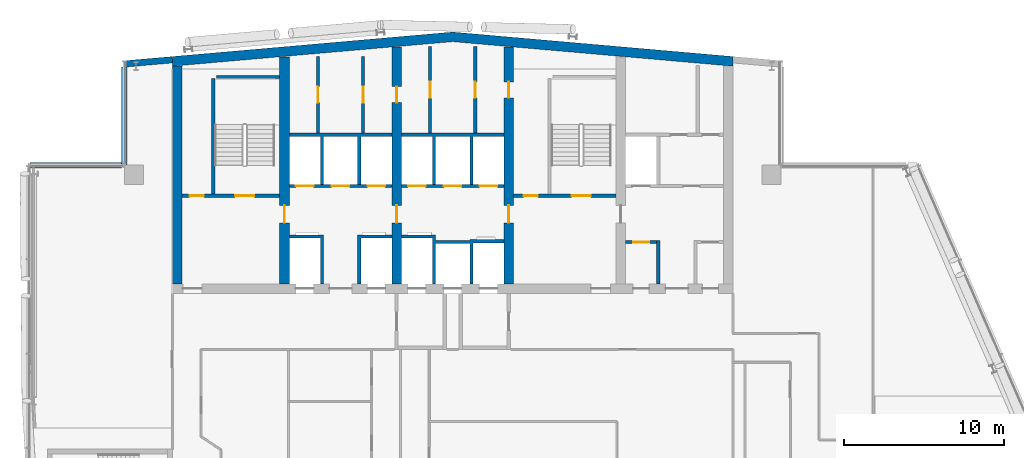
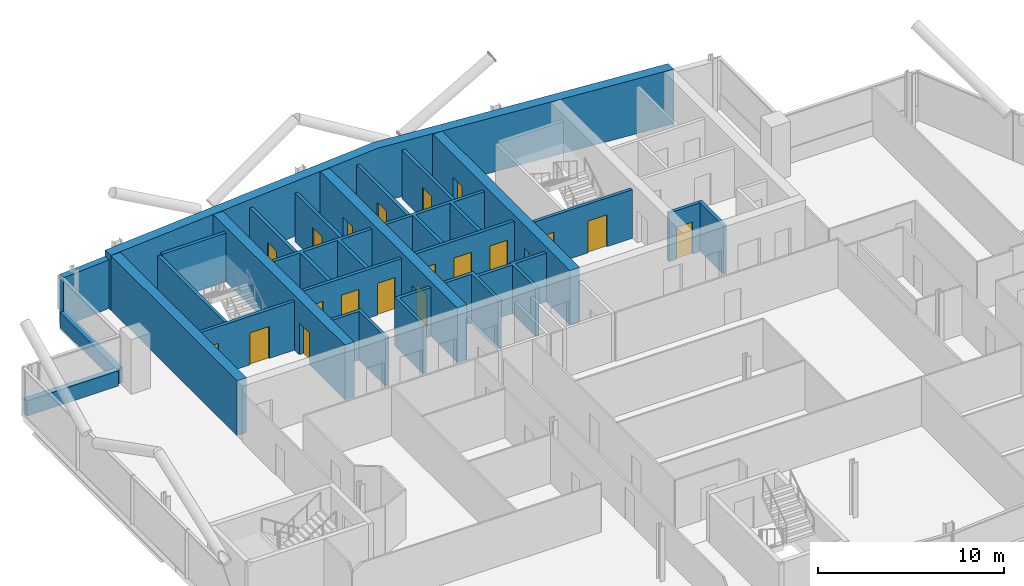
# One storey, part 18 of 27: 25 walls, 20 doors, 20 openings.
"""IFC4 building model written with IfcOpenShell, lengths in metres."""

from ifc_helpers import new_model, si_unit, direction, frame, frame_2d, origin, place, context, subcontext, project, spatial, polyline, rectangle, outline, extrude, material, layer, layer_set, type_object, element, fill, save


model = new_model("IFC4")

# Units and contexts
model_context = context("Model", 3, precision=1e-05, world=origin(), true_north=direction((0.0, 1.0)))
body_context = subcontext(model_context, "Body", "Model", "MODEL_VIEW")
ifc_project = project(units=[si_unit("LENGTHUNIT", "METRE"), si_unit("AREAUNIT", "SQUARE_METRE"), si_unit("VOLUMEUNIT", "CUBIC_METRE"), si_unit("PLANEANGLEUNIT", "RADIAN"), si_unit("MASSUNIT", "GRAM", prefix="KILO")], contexts=[model_context])

# Site, building, storey
site_placement = place(None, origin())
site = spatial("IfcSite", under=ifc_project, at=site_placement, CompositionType="ELEMENT")
building_placement = place(site_placement, origin())
building = spatial("IfcBuilding", under=site, at=building_placement, Name="Wharfspan Tower", CompositionType="ELEMENT")
storey_placement = place(building_placement, frame((0.0, 0.0, 228.699951)))
storey = spatial("IfcBuildingStorey", under=building, at=storey_placement, Name="L57", CompositionType="ELEMENT", Elevation=228.699951)

# Wall, opening, door
ifc_material_1 = material(Name="Calcium silicate masonry", Category="masonry")
ifc_layer_1 = layer(ifc_material_1, 0.199951)
ifc_layer_set_1 = layer_set([ifc_layer_1], Name="Calcium silicate masonry")
wall_type_1 = type_object("IfcWallType", Name="Core room wall 200", PredefinedType="PARTITIONING", material=ifc_layer_set_1)
wall_1_placement = place(storey_placement, frame((32.092041, 44.0, 0.0), z_axis=(0.0, 0.0, 1.0), x_axis=(0.0, 1.0, 0.0)))
wall_1 = element("IfcWall", 1, at=wall_1_placement, inside=storey, type_object=wall_type_1, Name="sw:L57:RP3.1", PredefinedType="PARTITIONING", context=body_context, shape_type="SweptSolid", body=[
    extrude(rectangle(XDim=4.803711, YDim=0.199951, at=frame_2d((2.401855, 0.0))), origin(), (0.0, 0.0, 1.0), 3.199951),
])
opening_1_placement = place(wall_1_placement, frame((1.901855, 0.0, 0.0)))
opening_1 = element("IfcOpeningElement", 2, at=opening_1_placement, cuts=wall_1, Name="Opening CD57.3P1", PredefinedType="OPENING", context=body_context, shape_type="SweptSolid", body=[
    extrude(rectangle(XDim=1.0, YDim=2.100098, at=frame_2d((0.5, 1.050049))), frame((0.0, 0.109863, 0.0), z_axis=(0.0, -1.0, 0.0), x_axis=(1.0, 0.0, 0.0)), (0.0, 0.0, 1.0), 0.219971),
])
ifc_material_2 = material(Name="Steel door leaf", Category="steel")
door_type_1 = type_object("IfcDoorType", Name="Core room door 1000x2100", OperationType="SINGLE_SWING_LEFT", PredefinedType="DOOR", material=ifc_material_2)
door_1_placement = place(opening_1_placement, origin())
door_1 = element("IfcDoor", 3, at=door_1_placement, inside=storey, type_object=door_type_1, Name="d:L57:3:rp1", OperationType="SINGLE_SWING_LEFT", OverallHeight=2.100098, OverallWidth=1.0, PredefinedType="DOOR", context=body_context, shape_type="SweptSolid", body=[
    extrude(rectangle(XDim=1.0, YDim=2.100098, at=frame_2d((0.5, 1.050049))), frame((0.0, 0.024902, 0.0), z_axis=(0.0, -1.0, 0.0), x_axis=(1.0, 0.0, 0.0)), (0.0, 0.0, 1.0), 0.050049),
])
fill(opening_1, door_1)

wall_2_placement = place(storey_placement, frame((34.907959, 44.0, 0.0), z_axis=(0.0, 0.0, 1.0), x_axis=(0.0, 1.0, 0.0)))
wall_2 = element("IfcWall", 4, at=wall_2_placement, inside=storey, type_object=wall_type_1, Name="sw:L57:RP3.2", PredefinedType="PARTITIONING", context=body_context, shape_type="SweptSolid", body=[
    extrude(rectangle(XDim=4.803711, YDim=0.199951, at=frame_2d((2.401855, 0.0))), origin(), (0.0, 0.0, 1.0), 3.199951),
])
opening_2_placement = place(wall_2_placement, frame((1.901855, 0.0, 0.0)))
opening_2 = element("IfcOpeningElement", 5, at=opening_2_placement, cuts=wall_2, Name="Opening CD57.3P2", PredefinedType="OPENING", context=body_context, shape_type="SweptSolid", body=[
    extrude(rectangle(XDim=1.0, YDim=2.100098, at=frame_2d((0.5, 1.050049))), frame((0.0, 0.109863, 0.0), z_axis=(0.0, -1.0, 0.0), x_axis=(1.0, 0.0, 0.0)), (0.0, 0.0, 1.0), 0.219971),
])
door_2_placement = place(opening_2_placement, origin())
door_2 = element("IfcDoor", 6, at=door_2_placement, inside=storey, type_object=door_type_1, Name="d:L57:3:rp2", OperationType="SINGLE_SWING_LEFT", OverallHeight=2.100098, OverallWidth=1.0, PredefinedType="DOOR", context=body_context, shape_type="SweptSolid", body=[
    extrude(rectangle(XDim=1.0, YDim=2.100098, at=frame_2d((0.5, 1.050049))), frame((0.0, 0.024902, 0.0), z_axis=(0.0, -1.0, 0.0), x_axis=(1.0, 0.0, 0.0)), (0.0, 0.0, 1.0), 0.050049),
])
fill(opening_2, door_2)

wall_3_placement = place(storey_placement, frame((39.092041, 44.0, 0.0), z_axis=(0.0, 0.0, 1.0), x_axis=(0.0, 1.0, 0.0)))
wall_3 = element("IfcWall", 7, at=wall_3_placement, inside=storey, type_object=wall_type_1, Name="sw:L57:RP4.1", PredefinedType="PARTITIONING", context=body_context, shape_type="SweptSolid", body=[
    extrude(rectangle(XDim=5.41626, YDim=0.199951, at=frame_2d((2.708008, 0.0))), origin(), (0.0, 0.0, 1.0), 3.199951),
])
opening_3_placement = place(wall_3_placement, frame((2.208008, 0.0, 0.0)))
opening_3 = element("IfcOpeningElement", 8, at=opening_3_placement, cuts=wall_3, Name="Opening CD57.4P1", PredefinedType="OPENING", context=body_context, shape_type="SweptSolid", body=[
    extrude(rectangle(XDim=1.0, YDim=2.100098, at=frame_2d((0.5, 1.050049))), frame((0.0, 0.109863, 0.0), z_axis=(0.0, -1.0, 0.0), x_axis=(1.0, 0.0, 0.0)), (0.0, 0.0, 1.0), 0.219971),
])
door_3_placement = place(opening_3_placement, origin())
door_3 = element("IfcDoor", 9, at=door_3_placement, inside=storey, type_object=door_type_1, Name="d:L57:4:rp1", OperationType="SINGLE_SWING_LEFT", OverallHeight=2.100098, OverallWidth=1.0, PredefinedType="DOOR", context=body_context, shape_type="SweptSolid", body=[
    extrude(rectangle(XDim=1.0, YDim=2.100098, at=frame_2d((0.5, 1.050049))), frame((0.0, 0.024902, 0.0), z_axis=(0.0, -1.0, 0.0), x_axis=(1.0, 0.0, 0.0)), (0.0, 0.0, 1.0), 0.050049),
])
fill(opening_3, door_3)

wall_4_placement = place(storey_placement, frame((41.907959, 44.0, 0.0), z_axis=(0.0, 0.0, 1.0), x_axis=(0.0, 1.0, 0.0)))
wall_4 = element("IfcWall", 10, at=wall_4_placement, inside=storey, type_object=wall_type_1, Name="sw:L57:RP4.2", PredefinedType="PARTITIONING", context=body_context, shape_type="SweptSolid", body=[
    extrude(rectangle(XDim=5.41626, YDim=0.199951, at=frame_2d((2.708008, 0.0))), origin(), (0.0, 0.0, 1.0), 3.199951),
])
opening_4_placement = place(wall_4_placement, frame((2.208008, 0.0, 0.0)))
opening_4 = element("IfcOpeningElement", 11, at=opening_4_placement, cuts=wall_4, Name="Opening CD57.4P2", PredefinedType="OPENING", context=body_context, shape_type="SweptSolid", body=[
    extrude(rectangle(XDim=1.0, YDim=2.100098, at=frame_2d((0.5, 1.050049))), frame((0.0, 0.109863, 0.0), z_axis=(0.0, -1.0, 0.0), x_axis=(1.0, 0.0, 0.0)), (0.0, 0.0, 1.0), 0.219971),
])
door_4_placement = place(opening_4_placement, origin())
door_4 = element("IfcDoor", 12, at=door_4_placement, inside=storey, type_object=door_type_1, Name="d:L57:4:rp2", OperationType="SINGLE_SWING_LEFT", OverallHeight=2.100098, OverallWidth=1.0, PredefinedType="DOOR", context=body_context, shape_type="SweptSolid", body=[
    extrude(rectangle(XDim=1.0, YDim=2.100098, at=frame_2d((0.5, 1.050049))), frame((0.0, 0.024902, 0.0), z_axis=(0.0, -1.0, 0.0), x_axis=(1.0, 0.0, 0.0)), (0.0, 0.0, 1.0), 0.050049),
])
fill(opening_4, door_4)

wall_5_placement = place(storey_placement, frame((51.300049, 37.199951, 0.0), z_axis=(0.0, 0.0, 1.0), x_axis=(1.0, 0.0, 0.0)))
wall_5 = element("IfcWall", 13, at=wall_5_placement, inside=storey, type_object=wall_type_1, Name="sw:L57:FR6.1", PredefinedType="PARTITIONING", context=body_context, shape_type="SweptSolid", body=[
    extrude(rectangle(XDim=1.93335, YDim=0.199951, at=frame_2d((0.966797, 0.0))), origin(), (0.0, 0.0, 1.0), 3.199951),
])
opening_5_placement = place(wall_5_placement, frame((0.466797, 0.0, 0.0)))
opening_5 = element("IfcOpeningElement", 14, at=opening_5_placement, cuts=wall_5, Name="Opening CD57.6H1", PredefinedType="OPENING", context=body_context, shape_type="SweptSolid", body=[
    extrude(rectangle(XDim=1.0, YDim=2.100098, at=frame_2d((0.5, 1.050049))), frame((0.0, 0.109863, 0.0), z_axis=(0.0, -1.0, 0.0), x_axis=(1.0, 0.0, 0.0)), (0.0, 0.0, 1.0), 0.219971),
])
door_5_placement = place(opening_5_placement, origin())
door_5 = element("IfcDoor", 15, at=door_5_placement, inside=storey, type_object=door_type_1, Name="d:L57:6:fh6.1", OperationType="SINGLE_SWING_RIGHT", OverallHeight=2.100098, OverallWidth=1.0, PredefinedType="DOOR", context=body_context, shape_type="SweptSolid", body=[
    extrude(rectangle(XDim=1.0, YDim=2.100098, at=frame_2d((0.5, 1.050049))), frame((0.0, 0.024902, 0.0), z_axis=(0.0, -1.0, 0.0), x_axis=(1.0, 0.0, 0.0)), (0.0, 0.0, 1.0), 0.050049),
])
fill(opening_5, door_5)

# Walls
ifc_material_3 = material(Name="Concrete C50/60", Category="concrete")
ifc_layer_2 = layer(ifc_material_3, 0.600098)
ifc_layer_set_2 = layer_set([ifc_layer_2], Name="Concrete C50/60")
wall_type_2 = type_object("IfcWallType", Name="Core wall 600 C50/60", PredefinedType="SHEAR", material=ifc_layer_set_2)
wall_6_placement = place(storey_placement, origin())
element("IfcWall", 16, at=wall_6_placement, inside=storey, type_object=wall_type_2, Name="Core rear wall L57", PredefinedType="SHEAR", context=body_context, shape_type="SweptSolid", body=[
    extrude(outline(polyline([(23.0, 48.185059), (40.5, 49.716064), (58.0, 48.185059), (58.0, 48.787354), (40.5, 50.318359), (23.0, 48.787354), (23.0, 48.185059)])), origin(), (0.0, 0.0, 1.0), 3.600098),
])
wall_7_placement = place(storey_placement, frame((23.300049, 34.600098, 0.0), z_axis=(0.0, 0.0, 1.0), x_axis=(0.0, 1.0, 0.0)))
element("IfcWall", 17, at=wall_7_placement, inside=storey, type_object=wall_type_2, Name="Core cross wall EW0 L57", PredefinedType="SHEAR", context=body_context, shape_type="SweptSolid", body=[
    extrude(rectangle(XDim=13.584961, YDim=0.600098, at=frame_2d((6.79248, 0.0))), origin(), (0.0, 0.0, 1.0), 3.600098),
])

# Wall, opening, door
wall_8_placement = place(storey_placement, frame((30.0, 34.600098, 0.0), z_axis=(0.0, 0.0, 1.0), x_axis=(0.0, 1.0, 0.0)))
wall_8 = element("IfcWall", 18, at=wall_8_placement, inside=storey, type_object=wall_type_2, Name="Core cross wall X3 L57", PredefinedType="SHEAR", context=body_context, shape_type="SweptSolid", body=[
    extrude(rectangle(XDim=14.171143, YDim=0.600098, at=frame_2d((7.085449, 0.0))), origin(), (0.0, 0.0, 1.0), 3.600098),
])
opening_6_placement = place(wall_8_placement, frame((3.800049, 0.0, 0.0)))
opening_6 = element("IfcOpeningElement", 19, at=opening_6_placement, cuts=wall_8, Name="Opening CC57.3", PredefinedType="OPENING", context=body_context, shape_type="SweptSolid", body=[
    extrude(rectangle(XDim=1.100098, YDim=2.100098, at=frame_2d((0.550049, 1.050049))), frame((0.0, 0.310059, 0.0), z_axis=(0.0, -1.0, 0.0), x_axis=(1.0, 0.0, 0.0)), (0.0, 0.0, 1.0), 0.620117),
])
door_type_2 = type_object("IfcDoorType", Name="Core corridor door 1100x2100", OperationType="SINGLE_SWING_LEFT", PredefinedType="DOOR", material=ifc_material_2)
door_6_placement = place(opening_6_placement, origin())
door_6 = element("IfcDoor", 20, at=door_6_placement, inside=storey, type_object=door_type_2, Name="xd:L57:3", OperationType="SINGLE_SWING_LEFT", OverallHeight=2.100098, OverallWidth=1.100098, PredefinedType="DOOR", context=body_context, shape_type="SweptSolid", body=[
    extrude(rectangle(XDim=1.100098, YDim=2.100098, at=frame_2d((0.550049, 1.050049))), frame((0.0, 0.024902, 0.0), z_axis=(0.0, -1.0, 0.0), x_axis=(1.0, 0.0, 0.0)), (0.0, 0.0, 1.0), 0.050049),
])
fill(opening_6, door_6)

# Wall, openings, doors
wall_9_placement = place(storey_placement, frame((37.0, 34.600098, 0.0), z_axis=(0.0, 0.0, 1.0), x_axis=(0.0, 1.0, 0.0)))
wall_9 = element("IfcWall", 21, at=wall_9_placement, inside=storey, type_object=wall_type_2, Name="Core cross wall X4 L57", PredefinedType="SHEAR", context=body_context, shape_type="SweptSolid", body=[
    extrude(rectangle(XDim=14.783691, YDim=0.600098, at=frame_2d((7.391846, 0.0))), origin(), (0.0, 0.0, 1.0), 3.600098),
])
opening_7_placement = place(wall_9_placement, frame((11.302002, 0.0, 0.0)))
opening_7 = element("IfcOpeningElement", 22, at=opening_7_placement, cuts=wall_9, Name="Opening CD57.3X", PredefinedType="OPENING", context=body_context, shape_type="SweptSolid", body=[
    extrude(rectangle(XDim=1.0, YDim=2.100098, at=frame_2d((0.5, 1.050049))), frame((0.0, 0.310059, 0.0), z_axis=(0.0, -1.0, 0.0), x_axis=(1.0, 0.0, 0.0)), (0.0, 0.0, 1.0), 0.620117),
])
opening_8_placement = place(wall_9_placement, frame((3.800049, 0.0, 0.0)))
opening_8 = element("IfcOpeningElement", 23, at=opening_8_placement, cuts=wall_9, Name="Opening CC57.4", PredefinedType="OPENING", context=body_context, shape_type="SweptSolid", body=[
    extrude(rectangle(XDim=1.100098, YDim=2.100098, at=frame_2d((0.550049, 1.050049))), frame((0.0, 0.310059, 0.0), z_axis=(0.0, -1.0, 0.0), x_axis=(1.0, 0.0, 0.0)), (0.0, 0.0, 1.0), 0.620117),
])
door_7_placement = place(opening_8_placement, origin())
door_7 = element("IfcDoor", 24, at=door_7_placement, inside=storey, type_object=door_type_2, Name="xd:L57:4", OperationType="SINGLE_SWING_RIGHT", OverallHeight=2.100098, OverallWidth=1.100098, PredefinedType="DOOR", context=body_context, shape_type="SweptSolid", body=[
    extrude(rectangle(XDim=1.100098, YDim=2.100098, at=frame_2d((0.550049, 1.050049))), frame((0.0, 0.024902, 0.0), z_axis=(0.0, -1.0, 0.0), x_axis=(1.0, 0.0, 0.0)), (0.0, 0.0, 1.0), 0.050049),
])
fill(opening_8, door_7)
door_8_placement = place(opening_7_placement, origin())
door_8 = element("IfcDoor", 25, at=door_8_placement, inside=storey, type_object=door_type_1, Name="d:L57:3:sx", OperationType="SINGLE_SWING_LEFT", OverallHeight=2.100098, OverallWidth=1.0, PredefinedType="DOOR", context=body_context, shape_type="SweptSolid", body=[
    extrude(rectangle(XDim=1.0, YDim=2.100098, at=frame_2d((0.5, 1.050049))), frame((0.0, 0.024902, 0.0), z_axis=(0.0, -1.0, 0.0), x_axis=(1.0, 0.0, 0.0)), (0.0, 0.0, 1.0), 0.050049),
])
fill(opening_7, door_8)

wall_10_placement = place(storey_placement, frame((44.0, 34.600098, 0.0), z_axis=(0.0, 0.0, 1.0), x_axis=(0.0, 1.0, 0.0)))
wall_10 = element("IfcWall", 26, at=wall_10_placement, inside=storey, type_object=wall_type_2, Name="Core cross wall X5 L57", PredefinedType="SHEAR", context=body_context, shape_type="SweptSolid", body=[
    extrude(rectangle(XDim=14.783691, YDim=0.600098, at=frame_2d((7.391846, 0.0))), origin(), (0.0, 0.0, 1.0), 3.600098),
])
opening_9_placement = place(wall_10_placement, frame((11.608154, 0.0, 0.0)))
opening_9 = element("IfcOpeningElement", 27, at=opening_9_placement, cuts=wall_10, Name="Opening CD57.4X", PredefinedType="OPENING", context=body_context, shape_type="SweptSolid", body=[
    extrude(rectangle(XDim=1.0, YDim=2.100098, at=frame_2d((0.5, 1.050049))), frame((0.0, 0.310059, 0.0), z_axis=(0.0, -1.0, 0.0), x_axis=(1.0, 0.0, 0.0)), (0.0, 0.0, 1.0), 0.620117),
])
opening_10_placement = place(wall_10_placement, frame((3.800049, 0.0, 0.0)))
opening_10 = element("IfcOpeningElement", 28, at=opening_10_placement, cuts=wall_10, Name="Opening CC57.5", PredefinedType="OPENING", context=body_context, shape_type="SweptSolid", body=[
    extrude(rectangle(XDim=1.100098, YDim=2.100098, at=frame_2d((0.550049, 1.050049))), frame((0.0, 0.310059, 0.0), z_axis=(0.0, -1.0, 0.0), x_axis=(1.0, 0.0, 0.0)), (0.0, 0.0, 1.0), 0.620117),
])
door_9_placement = place(opening_10_placement, origin())
door_9 = element("IfcDoor", 29, at=door_9_placement, inside=storey, type_object=door_type_2, Name="xd:L57:5", OperationType="SINGLE_SWING_LEFT", OverallHeight=2.100098, OverallWidth=1.100098, PredefinedType="DOOR", context=body_context, shape_type="SweptSolid", body=[
    extrude(rectangle(XDim=1.100098, YDim=2.100098, at=frame_2d((0.550049, 1.050049))), frame((0.0, 0.024902, 0.0), z_axis=(0.0, -1.0, 0.0), x_axis=(1.0, 0.0, 0.0)), (0.0, 0.0, 1.0), 0.050049),
])
fill(opening_10, door_9)
door_10_placement = place(opening_9_placement, origin())
door_10 = element("IfcDoor", 30, at=door_10_placement, inside=storey, type_object=door_type_1, Name="d:L57:4:sx", OperationType="SINGLE_SWING_LEFT", OverallHeight=2.100098, OverallWidth=1.0, PredefinedType="DOOR", context=body_context, shape_type="SweptSolid", body=[
    extrude(rectangle(XDim=1.0, YDim=2.100098, at=frame_2d((0.5, 1.050049))), frame((0.0, 0.024902, 0.0), z_axis=(0.0, -1.0, 0.0), x_axis=(1.0, 0.0, 0.0)), (0.0, 0.0, 1.0), 0.050049),
])
fill(opening_9, door_10)

ifc_material_4 = material(Name="Concrete C30/37", Category="concrete")
ifc_layer_3 = layer(ifc_material_4, 0.199951)
ifc_layer_set_3 = layer_set([ifc_layer_3], Name="Concrete C30/37")
wall_type_3 = type_object("IfcWallType", Name="Lift shaft wall 200", PredefinedType="PARTITIONING", material=ifc_layer_set_3)
wall_11_placement = place(storey_placement, frame((30.300049, 40.699951, 0.0), z_axis=(0.0, 0.0, 1.0), x_axis=(1.0, 0.0, 0.0)))
wall_11 = element("IfcWall", 31, at=wall_11_placement, inside=storey, type_object=wall_type_3, Name="sw:L57:RF3", PredefinedType="PARTITIONING", context=body_context, shape_type="SweptSolid", body=[
    extrude(rectangle(XDim=6.399902, YDim=0.199951, at=frame_2d((3.199951, 0.0))), origin(), (0.0, 0.0, 1.0), 3.199951),
])
opening_11_placement = place(wall_11_placement, frame((0.416748, 0.0, 0.0)))
opening_11 = element("IfcOpeningElement", 32, at=opening_11_placement, cuts=wall_11, Name="Opening LD.LB1.L57", PredefinedType="OPENING", context=body_context, shape_type="SweptSolid", body=[
    extrude(rectangle(XDim=1.100098, YDim=2.100098, at=frame_2d((0.550049, 1.050049))), frame((0.0, 0.109863, 0.0), z_axis=(0.0, -1.0, 0.0), x_axis=(1.0, 0.0, 0.0)), (0.0, 0.0, 1.0), 0.219971),
])
opening_12_placement = place(wall_11_placement, frame((2.649902, 0.0, 0.0)))
opening_12 = element("IfcOpeningElement", 33, at=opening_12_placement, cuts=wall_11, Name="Opening LD.LB2.L57", PredefinedType="OPENING", context=body_context, shape_type="SweptSolid", body=[
    extrude(rectangle(XDim=1.100098, YDim=2.100098, at=frame_2d((0.550049, 1.050049))), frame((0.0, 0.109863, 0.0), z_axis=(0.0, -1.0, 0.0), x_axis=(1.0, 0.0, 0.0)), (0.0, 0.0, 1.0), 0.219971),
])
opening_13_placement = place(wall_11_placement, frame((4.883301, 0.0, 0.0)))
opening_13 = element("IfcOpeningElement", 34, at=opening_13_placement, cuts=wall_11, Name="Opening LD.LB3.L57", PredefinedType="OPENING", context=body_context, shape_type="SweptSolid", body=[
    extrude(rectangle(XDim=1.100098, YDim=2.100098, at=frame_2d((0.550049, 1.050049))), frame((0.0, 0.109863, 0.0), z_axis=(0.0, -1.0, 0.0), x_axis=(1.0, 0.0, 0.0)), (0.0, 0.0, 1.0), 0.219971),
])
ifc_material_5 = material(Name="Stainless steel", Category="steel")
door_type_3 = type_object("IfcDoorType", Name="Lift landing door 1100x2100", OperationType="DOUBLE_DOOR_SLIDING", PredefinedType="DOOR", material=ifc_material_5)
door_11_placement = place(opening_11_placement, origin())
door_11 = element("IfcDoor", 35, at=door_11_placement, inside=storey, type_object=door_type_3, Name="Landing door LB1 L57", OperationType="DOUBLE_DOOR_SLIDING", OverallHeight=2.100098, OverallWidth=1.100098, PredefinedType="DOOR", context=body_context, shape_type="SweptSolid", body=[
    extrude(rectangle(XDim=1.100098, YDim=2.100098, at=frame_2d((0.550049, 1.050049))), frame((0.0, 0.024902, 0.0), z_axis=(0.0, -1.0, 0.0), x_axis=(1.0, 0.0, 0.0)), (0.0, 0.0, 1.0), 0.050049),
])
fill(opening_11, door_11)
door_12_placement = place(opening_12_placement, origin())
door_12 = element("IfcDoor", 36, at=door_12_placement, inside=storey, type_object=door_type_3, Name="Landing door LB2 L57", OperationType="DOUBLE_DOOR_SLIDING", OverallHeight=2.100098, OverallWidth=1.100098, PredefinedType="DOOR", context=body_context, shape_type="SweptSolid", body=[
    extrude(rectangle(XDim=1.100098, YDim=2.100098, at=frame_2d((0.550049, 1.050049))), frame((0.0, 0.024902, 0.0), z_axis=(0.0, -1.0, 0.0), x_axis=(1.0, 0.0, 0.0)), (0.0, 0.0, 1.0), 0.050049),
])
fill(opening_12, door_12)
door_13_placement = place(opening_13_placement, origin())
door_13 = element("IfcDoor", 37, at=door_13_placement, inside=storey, type_object=door_type_3, Name="Landing door LB3 L57", OperationType="DOUBLE_DOOR_SLIDING", OverallHeight=2.100098, OverallWidth=1.100098, PredefinedType="DOOR", context=body_context, shape_type="SweptSolid", body=[
    extrude(rectangle(XDim=1.100098, YDim=2.100098, at=frame_2d((0.550049, 1.050049))), frame((0.0, 0.024902, 0.0), z_axis=(0.0, -1.0, 0.0), x_axis=(1.0, 0.0, 0.0)), (0.0, 0.0, 1.0), 0.050049),
])
fill(opening_13, door_13)

# Walls
wall_12_placement = place(storey_placement, frame((0.0, 0.0, -0.000244)))
element("IfcWall", 38, at=wall_12_placement, inside=storey, type_object=wall_type_3, Name="sw:L57:FM3.0", PredefinedType="PARTITIONING", context=body_context, shape_type="SweptSolid", body=[
    extrude(outline(polyline([(32.233398, 37.449951), (30.300049, 37.449951), (30.300049, 37.649902), (32.233398, 37.649902), (32.43335, 37.649902), (32.43335, 34.600098), (32.233398, 34.600098), (32.233398, 37.449951)])), origin(), (0.0, 0.0, 1.0), 3.200195),
])
wall_13_placement = place(storey_placement, frame((0.0, 0.0, -0.000244)))
element("IfcWall", 39, at=wall_13_placement, inside=storey, type_object=wall_type_3, Name="sw:L57:FM3.1", PredefinedType="PARTITIONING", context=body_context, shape_type="SweptSolid", body=[
    extrude(outline(polyline([(34.56665, 37.649902), (34.766602, 37.649902), (36.699951, 37.649902), (36.699951, 37.449951), (34.766602, 37.449951), (34.766602, 34.600098), (34.56665, 34.600098), (34.56665, 37.649902)])), origin(), (0.0, 0.0, 1.0), 3.200195),
])
wall_14_placement = place(storey_placement, frame((0.0, 0.0, -0.000244)))
element("IfcWall", 40, at=wall_14_placement, inside=storey, type_object=wall_type_3, Name="sw:L57:RM3.0", PredefinedType="PARTITIONING", context=body_context, shape_type="SweptSolid", body=[
    extrude(outline(polyline([(32.43335, 40.800049), (32.233398, 40.800049), (32.233398, 43.800049), (30.300049, 43.800049), (30.300049, 44.0), (36.699951, 44.0), (36.699951, 43.800049), (34.766602, 43.800049), (34.766602, 40.800049), (34.56665, 40.800049), (34.56665, 43.800049), (32.43335, 43.800049), (32.43335, 40.800049)])), origin(), (0.0, 0.0, 1.0), 3.200195),
])

# Wall, openings, doors
wall_15_placement = place(storey_placement, frame((37.300049, 40.699951, 0.0), z_axis=(0.0, 0.0, 1.0), x_axis=(1.0, 0.0, 0.0)))
wall_15 = element("IfcWall", 41, at=wall_15_placement, inside=storey, type_object=wall_type_3, Name="sw:L57:RF4", PredefinedType="PARTITIONING", context=body_context, shape_type="SweptSolid", body=[
    extrude(rectangle(XDim=6.399902, YDim=0.199951, at=frame_2d((3.199951, 0.0))), origin(), (0.0, 0.0, 1.0), 3.199951),
])
opening_14_placement = place(wall_15_placement, frame((0.416748, 0.0, 0.0)))
opening_14 = element("IfcOpeningElement", 42, at=opening_14_placement, cuts=wall_15, Name="Opening LD.LB4.L57", PredefinedType="OPENING", context=body_context, shape_type="SweptSolid", body=[
    extrude(rectangle(XDim=1.100098, YDim=2.100098, at=frame_2d((0.550049, 1.050049))), frame((0.0, 0.109863, 0.0), z_axis=(0.0, -1.0, 0.0), x_axis=(1.0, 0.0, 0.0)), (0.0, 0.0, 1.0), 0.219971),
])
opening_15_placement = place(wall_15_placement, frame((2.649902, 0.0, 0.0)))
opening_15 = element("IfcOpeningElement", 43, at=opening_15_placement, cuts=wall_15, Name="Opening LD.LB5.L57", PredefinedType="OPENING", context=body_context, shape_type="SweptSolid", body=[
    extrude(rectangle(XDim=1.100098, YDim=2.100098, at=frame_2d((0.550049, 1.050049))), frame((0.0, 0.109863, 0.0), z_axis=(0.0, -1.0, 0.0), x_axis=(1.0, 0.0, 0.0)), (0.0, 0.0, 1.0), 0.219971),
])
opening_16_placement = place(wall_15_placement, frame((4.883301, 0.0, 0.0)))
opening_16 = element("IfcOpeningElement", 44, at=opening_16_placement, cuts=wall_15, Name="Opening LD.LB6.L57", PredefinedType="OPENING", context=body_context, shape_type="SweptSolid", body=[
    extrude(rectangle(XDim=1.100098, YDim=2.100098, at=frame_2d((0.550049, 1.050049))), frame((0.0, 0.109863, 0.0), z_axis=(0.0, -1.0, 0.0), x_axis=(1.0, 0.0, 0.0)), (0.0, 0.0, 1.0), 0.219971),
])
door_14_placement = place(opening_14_placement, origin())
door_14 = element("IfcDoor", 45, at=door_14_placement, inside=storey, type_object=door_type_3, Name="Landing door LB4 L57", OperationType="DOUBLE_DOOR_SLIDING", OverallHeight=2.100098, OverallWidth=1.100098, PredefinedType="DOOR", context=body_context, shape_type="SweptSolid", body=[
    extrude(rectangle(XDim=1.100098, YDim=2.100098, at=frame_2d((0.550049, 1.050049))), frame((0.0, 0.024902, 0.0), z_axis=(0.0, -1.0, 0.0), x_axis=(1.0, 0.0, 0.0)), (0.0, 0.0, 1.0), 0.050049),
])
fill(opening_14, door_14)
door_15_placement = place(opening_15_placement, origin())
door_15 = element("IfcDoor", 46, at=door_15_placement, inside=storey, type_object=door_type_3, Name="Landing door LB5 L57", OperationType="DOUBLE_DOOR_SLIDING", OverallHeight=2.100098, OverallWidth=1.100098, PredefinedType="DOOR", context=body_context, shape_type="SweptSolid", body=[
    extrude(rectangle(XDim=1.100098, YDim=2.100098, at=frame_2d((0.550049, 1.050049))), frame((0.0, 0.024902, 0.0), z_axis=(0.0, -1.0, 0.0), x_axis=(1.0, 0.0, 0.0)), (0.0, 0.0, 1.0), 0.050049),
])
fill(opening_15, door_15)
door_16_placement = place(opening_16_placement, origin())
door_16 = element("IfcDoor", 47, at=door_16_placement, inside=storey, type_object=door_type_3, Name="Landing door LB6 L57", OperationType="DOUBLE_DOOR_SLIDING", OverallHeight=2.100098, OverallWidth=1.100098, PredefinedType="DOOR", context=body_context, shape_type="SweptSolid", body=[
    extrude(rectangle(XDim=1.100098, YDim=2.100098, at=frame_2d((0.550049, 1.050049))), frame((0.0, 0.024902, 0.0), z_axis=(0.0, -1.0, 0.0), x_axis=(1.0, 0.0, 0.0)), (0.0, 0.0, 1.0), 0.050049),
])
fill(opening_16, door_16)

# Walls
wall_16_placement = place(storey_placement, frame((0.0, 0.0, -0.000244)))
element("IfcWall", 48, at=wall_16_placement, inside=storey, type_object=wall_type_3, Name="sw:L57:FM4.0", PredefinedType="PARTITIONING", context=body_context, shape_type="SweptSolid", body=[
    extrude(outline(polyline([(41.56665, 37.100098), (39.43335, 37.100098), (39.43335, 34.600098), (39.233398, 34.600098), (39.233398, 37.449951), (37.300049, 37.449951), (37.300049, 37.649902), (39.233398, 37.649902), (39.43335, 37.649902), (39.43335, 37.300049), (41.56665, 37.300049), (41.56665, 37.350098), (41.766602, 37.350098), (43.699951, 37.350098), (43.699951, 37.149902), (41.766602, 37.149902), (41.766602, 34.600098), (41.56665, 34.600098), (41.56665, 37.100098)])), origin(), (0.0, 0.0, 1.0), 3.200195),
])
wall_17_placement = place(storey_placement, frame((0.0, 0.0, -0.000244)))
element("IfcWall", 49, at=wall_17_placement, inside=storey, type_object=wall_type_3, Name="sw:L57:RM4.0", PredefinedType="PARTITIONING", context=body_context, shape_type="SweptSolid", body=[
    extrude(outline(polyline([(39.43335, 40.800049), (39.233398, 40.800049), (39.233398, 43.800049), (37.300049, 43.800049), (37.300049, 44.0), (43.699951, 44.0), (43.699951, 43.800049), (41.766602, 43.800049), (41.766602, 40.800049), (41.56665, 40.800049), (41.56665, 43.800049), (39.43335, 43.800049), (39.43335, 40.800049)])), origin(), (0.0, 0.0, 1.0), 3.200195),
])
wall_18_placement = place(storey_placement, frame((0.0, 0.0, -0.000244)))
element("IfcWall", 50, at=wall_18_placement, inside=storey, type_object=wall_type_3, Name="sw:L57:FM6.0", PredefinedType="PARTITIONING", context=body_context, shape_type="SweptSolid", body=[
    extrude(outline(polyline([(53.233398, 34.600098), (53.233398, 37.300049), (53.43335, 37.300049), (53.43335, 34.600098), (53.233398, 34.600098)])), origin(), (0.0, 0.0, 1.0), 3.200195),
])
ifc_material_6 = material(Name="Concrete C40/50", Category="concrete")
ifc_layer_4 = layer(ifc_material_6, 0.350098)
ifc_layer_set_4 = layer_set([ifc_layer_4], Name="Concrete C40/50")
wall_type_4 = type_object("IfcWallType", Name="SPANDREL EXPOSED CONCRETE 350", PredefinedType="SOLIDWALL", material=ifc_layer_set_4)
wall_19_placement = place(storey_placement, frame((19.995117, 48.126465, 0.0), z_axis=(0.0, 0.0, 1.0), x_axis=(0.0, -1.0, 0.0)))
element("IfcWall", 51, at=wall_19_placement, inside=storey, type_object=wall_type_4, Name="Spandrel upstand L57 NRW-V", PredefinedType="SOLIDWALL", context=body_context, shape_type="SweptSolid", body=[
    extrude(rectangle(XDim=6.126465, YDim=0.350098, at=frame_2d((3.063232, 0.0))), origin(), (0.0, 0.0, 1.0), 1.0),
])
wall_20_placement = place(storey_placement, frame((19.820068, 42.004883, 0.0), z_axis=(0.0, 0.0, 1.0), x_axis=(-1.0, 0.0, 0.0)))
element("IfcWall", 52, at=wall_20_placement, inside=storey, type_object=wall_type_4, Name="Spandrel upstand L57 NRW-H", PredefinedType="SOLIDWALL", context=body_context, shape_type="SweptSolid", body=[
    extrude(rectangle(XDim=5.699951, YDim=0.350098, at=frame_2d((2.850098, 0.0))), origin(), (0.0, 0.0, 1.0), 1.0),
])

# Wall, openings, doors
ifc_layer_5 = layer(ifc_material_6, 0.199951)
ifc_layer_set_5 = layer_set([ifc_layer_5], Name="Concrete C40/50")
wall_type_5 = type_object("IfcWallType", Name="Stair shaft wall 200", PredefinedType="SHEAR", material=ifc_layer_set_5)
wall_21_placement = place(storey_placement, frame((23.600098, 40.100098, 0.0), z_axis=(0.0, 0.0, 1.0), x_axis=(1.0, 0.0, 0.0)))
wall_21 = element("IfcWall", 53, at=wall_21_placement, inside=storey, type_object=wall_type_5, Name="ST1 stair enclosure wall L57", PredefinedType="SHEAR", context=body_context, shape_type="SweptSolid", body=[
    extrude(rectangle(XDim=6.099854, YDim=0.199951, at=frame_2d((3.049805, 0.0))), origin(), (0.0, 0.0, 1.0), 3.199951),
])
opening_17_placement = place(wall_21_placement, frame((3.324951, 0.0, 0.0)))
opening_17 = element("IfcOpeningElement", 54, at=opening_17_placement, cuts=wall_21, Name="Opening SD2.L57", PredefinedType="OPENING", context=body_context, shape_type="SweptSolid", body=[
    extrude(rectangle(XDim=1.199951, YDim=2.100098, at=frame_2d((0.600098, 1.050049))), frame((0.0, 0.109863, 0.0), z_axis=(0.0, -1.0, 0.0), x_axis=(1.0, 0.0, 0.0)), (0.0, 0.0, 1.0), 0.219971),
])
opening_18_placement = place(wall_21_placement, frame((0.475098, 0.0, 0.0)))
opening_18 = element("IfcOpeningElement", 55, at=opening_18_placement, cuts=wall_21, Name="Opening CD57.2R", PredefinedType="OPENING", context=body_context, shape_type="SweptSolid", body=[
    extrude(rectangle(XDim=0.899902, YDim=2.100098, at=frame_2d((0.449951, 1.050049))), frame((0.0, 0.109863, 0.0), z_axis=(0.0, -1.0, 0.0), x_axis=(1.0, 0.0, 0.0)), (0.0, 0.0, 1.0), 0.219971),
])
door_17_placement = place(opening_18_placement, origin())
door_17 = element("IfcDoor", 56, at=door_17_placement, inside=storey, type_object=door_type_1, Name="rk:L57:2", OperationType="SINGLE_SWING_LEFT", OverallHeight=2.100098, OverallWidth=0.899902, PredefinedType="DOOR", context=body_context, shape_type="SweptSolid", body=[
    extrude(rectangle(XDim=0.899902, YDim=2.100098, at=frame_2d((0.449951, 1.050049))), frame((0.0, 0.024902, 0.0), z_axis=(0.0, -1.0, 0.0), x_axis=(1.0, 0.0, 0.0)), (0.0, 0.0, 1.0), 0.050049),
])
fill(opening_18, door_17)
door_type_4 = type_object("IfcDoorType", Name="Stair door 1200x2100", OperationType="SINGLE_SWING_LEFT", PredefinedType="DOOR", material=ifc_material_2)
door_18_placement = place(opening_17_placement, origin())
door_18 = element("IfcDoor", 57, at=door_18_placement, inside=storey, type_object=door_type_4, Name="sd:L57:2", OperationType="SINGLE_SWING_RIGHT", OverallHeight=2.100098, OverallWidth=1.199951, PredefinedType="DOOR", context=body_context, shape_type="SweptSolid", body=[
    extrude(rectangle(XDim=1.199951, YDim=2.100098, at=frame_2d((0.600098, 1.050049))), frame((0.0, 0.024902, 0.0), z_axis=(0.0, -1.0, 0.0), x_axis=(1.0, 0.0, 0.0)), (0.0, 0.0, 1.0), 0.050049),
])
fill(opening_17, door_18)

# Walls
wall_22_placement = place(storey_placement, frame((25.550049, 40.199951, 0.0), z_axis=(0.0, 0.0, 1.0), x_axis=(0.0, 1.0, 0.0)))
element("IfcWall", 58, at=wall_22_placement, inside=storey, type_object=wall_type_5, Name="ST1 stair enclosure wall L57", PredefinedType="SHEAR", context=body_context, shape_type="SweptSolid", body=[
    extrude(rectangle(XDim=7.199951, YDim=0.199951, at=frame_2d((3.600098, 0.0))), origin(), (0.0, 0.0, 1.0), 3.199951),
])
wall_23_placement = place(storey_placement, frame((25.75, 47.5, 0.0), z_axis=(0.0, 0.0, 1.0), x_axis=(1.0, 0.0, 0.0)))
element("IfcWall", 59, at=wall_23_placement, inside=storey, type_object=wall_type_5, Name="ST1 stair enclosure wall L57", PredefinedType="SHEAR", context=body_context, shape_type="SweptSolid", body=[
    extrude(rectangle(XDim=3.949951, YDim=0.199951, at=frame_2d((1.975098, 0.0))), origin(), (0.0, 0.0, 1.0), 3.199951),
])

# Wall, openings, doors
wall_24_placement = place(storey_placement, frame((44.300049, 40.100098, 0.0), z_axis=(0.0, 0.0, 1.0), x_axis=(1.0, 0.0, 0.0)))
wall_24 = element("IfcWall", 60, at=wall_24_placement, inside=storey, type_object=wall_type_5, Name="ST2 stair enclosure wall L57", PredefinedType="SHEAR", context=body_context, shape_type="SweptSolid", body=[
    extrude(rectangle(XDim=6.399902, YDim=0.199951, at=frame_2d((3.199951, 0.0))), origin(), (0.0, 0.0, 1.0), 3.199951),
])
opening_19_placement = place(wall_24_placement, frame((3.625, 0.0, 0.0)))
opening_19 = element("IfcOpeningElement", 61, at=opening_19_placement, cuts=wall_24, Name="Opening SD5.L57", PredefinedType="OPENING", context=body_context, shape_type="SweptSolid", body=[
    extrude(rectangle(XDim=1.199951, YDim=2.100098, at=frame_2d((0.600098, 1.050049))), frame((0.0, 0.109863, 0.0), z_axis=(0.0, -1.0, 0.0), x_axis=(1.0, 0.0, 0.0)), (0.0, 0.0, 1.0), 0.219971),
])
opening_20_placement = place(wall_24_placement, frame((0.625, 0.0, 0.0)))
opening_20 = element("IfcOpeningElement", 62, at=opening_20_placement, cuts=wall_24, Name="Opening CD57.5R", PredefinedType="OPENING", context=body_context, shape_type="SweptSolid", body=[
    extrude(rectangle(XDim=0.899902, YDim=2.100098, at=frame_2d((0.449951, 1.050049))), frame((0.0, 0.109863, 0.0), z_axis=(0.0, -1.0, 0.0), x_axis=(1.0, 0.0, 0.0)), (0.0, 0.0, 1.0), 0.219971),
])
door_19_placement = place(opening_20_placement, origin())
door_19 = element("IfcDoor", 63, at=door_19_placement, inside=storey, type_object=door_type_1, Name="rk:L57:5", OperationType="SINGLE_SWING_LEFT", OverallHeight=2.100098, OverallWidth=0.899902, PredefinedType="DOOR", context=body_context, shape_type="SweptSolid", body=[
    extrude(rectangle(XDim=0.899902, YDim=2.100098, at=frame_2d((0.449951, 1.050049))), frame((0.0, 0.024902, 0.0), z_axis=(0.0, -1.0, 0.0), x_axis=(1.0, 0.0, 0.0)), (0.0, 0.0, 1.0), 0.050049),
])
fill(opening_20, door_19)
door_20_placement = place(opening_19_placement, origin())
door_20 = element("IfcDoor", 64, at=door_20_placement, inside=storey, type_object=door_type_4, Name="sd:L57:5", OperationType="SINGLE_SWING_RIGHT", OverallHeight=2.100098, OverallWidth=1.199951, PredefinedType="DOOR", context=body_context, shape_type="SweptSolid", body=[
    extrude(rectangle(XDim=1.199951, YDim=2.100098, at=frame_2d((0.600098, 1.050049))), frame((0.0, 0.024902, 0.0), z_axis=(0.0, -1.0, 0.0), x_axis=(1.0, 0.0, 0.0)), (0.0, 0.0, 1.0), 0.050049),
])
fill(opening_19, door_20)

# Wall
ifc_layer_6 = layer(ifc_material_6, 0.399902)
ifc_layer_set_6 = layer_set([ifc_layer_6], Name="Concrete C40/50")
wall_type_6 = type_object("IfcWallType", Name="WALL EXPOSED CONCRETE 400", PredefinedType="SOLIDWALL", material=ifc_layer_set_6)
wall_25_placement = place(storey_placement, frame((23.0, 48.58667, 0.0), z_axis=(0.0, 0.0, 1.0), x_axis=(-0.996194, -0.087168, 0.0)))
element("IfcWall", 65, at=wall_25_placement, inside=storey, type_object=wall_type_6, Name="Rear wall N1", PredefinedType="SOLIDWALL", context=body_context, shape_type="SweptSolid", body=[
    extrude(rectangle(XDim=2.994141, YDim=0.399902, at=frame_2d((1.49707, 0.0))), origin(), (0.0, 0.0, 1.0), 3.199951),
])

save(model, "model.ifc")
